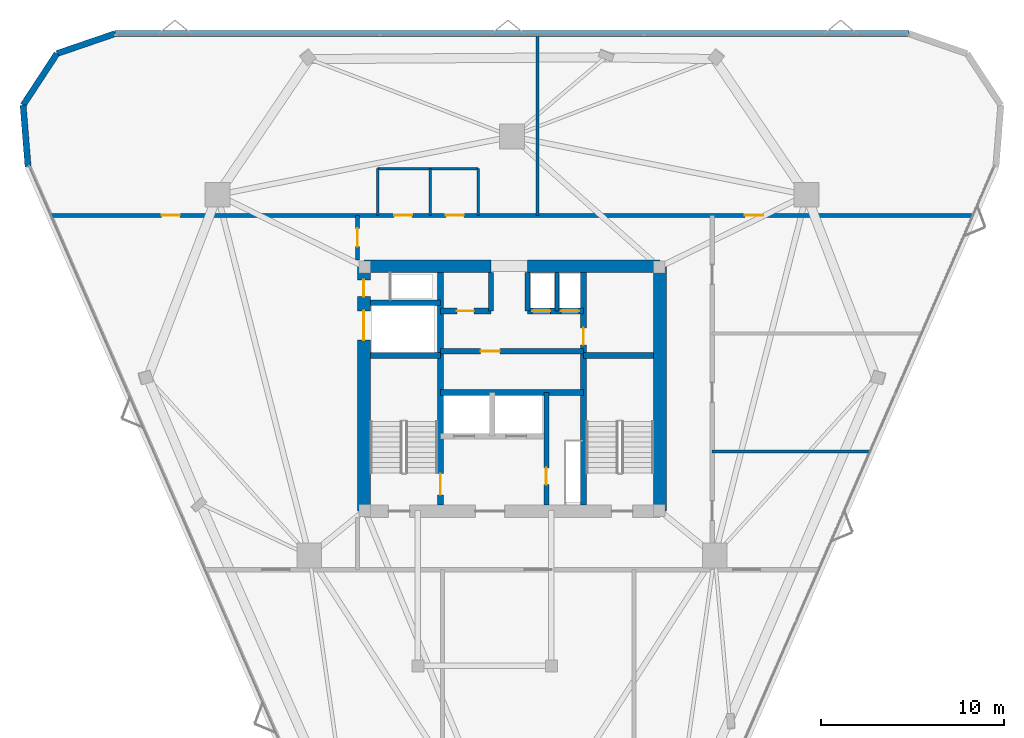
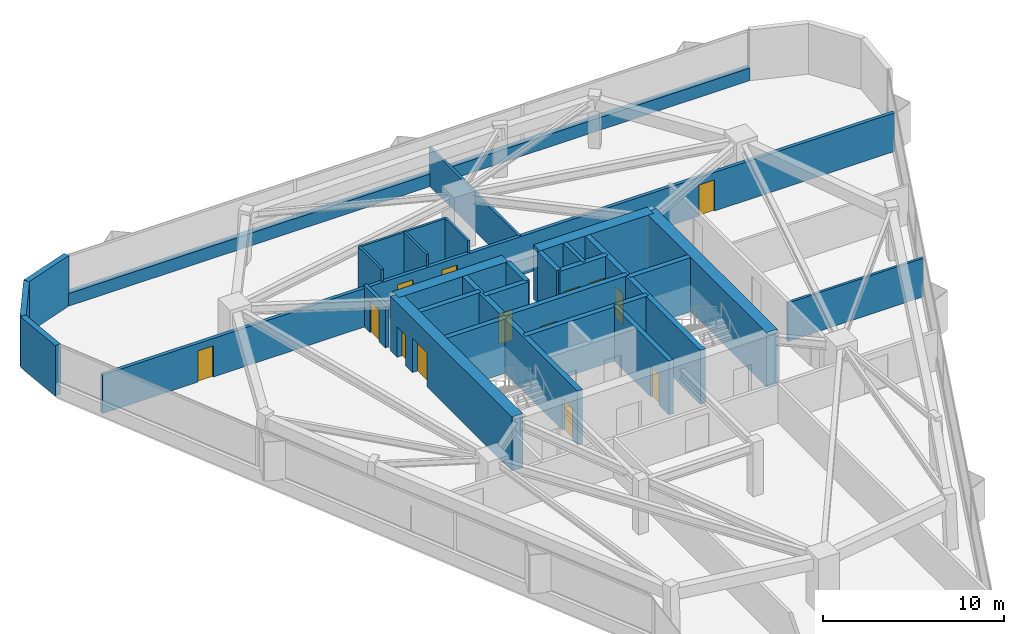
# One storey, part 10 of 12: 29 walls, 14 doors, 14 openings.
"""IFC4 building model written with IfcOpenShell, lengths in metres."""

import ifcopenshell
import ifcopenshell.guid

model = None  # the IFC model being written
_history = None  # IfcOwnerHistory: only IFC2X3 demands one
_inside = {}  # id of a spatial element -> (the spatial element, [elements in it])
_under = {}  # id of a project, library or spatial element -> (it, [spatial elements below it])
_declared = {}  # id of a project -> (the project, [libraries it declares])
_typed = {}  # id of a type object -> (the type object, [elements of that type])
_made_of = {}  # id of a material, layer set ... -> (it, [elements and type objects made of it])


def new_model(schema):
    """Start an empty IFC model of exactly this schema.

    Asked for "IFC4X3", IfcOpenShell would pick the latest addendum, in which some entities
    have other attributes; the version numbers below select the first issue.
    IFC2X3 requires an IfcOwnerHistory on every rooted entity: one is made here for all.
    """
    global model, _history
    if schema == "IFC4X3":
        model = ifcopenshell.file(schema_version=(4, 3, 0, 0))
    else:
        model = ifcopenshell.file(schema=schema)
    _inside.clear()
    _under.clear()
    _declared.clear()
    _typed.clear()
    _made_of.clear()
    _history = None
    if model.schema == "IFC2X3":
        org = make("IfcOrganization", Name="unknown")
        user = make(
            "IfcPersonAndOrganization",
            ThePerson=make("IfcPerson", FamilyName="unknown"),
            TheOrganization=org,
        )
        app = make(
            "IfcApplication",
            ApplicationDeveloper=org,
            Version="unknown",
            ApplicationFullName="unknown",
            ApplicationIdentifier="unknown",
        )
        _history = make(
            "IfcOwnerHistory",
            OwningUser=user,
            OwningApplication=app,
            ChangeAction="ADDED",
            CreationDate=0,
        )
    return model


def make(cls, **values):
    """One entity of the class cls with the attributes given. An attribute that is None is left unset."""
    return model.create_entity(
        cls, **{name: value for name, value in values.items() if value is not None}
    )


def rooted(cls, **values):
    """An entity with a GlobalId (a new one), such as an element, a storey or a relation."""
    return make(cls, GlobalId=ifcopenshell.guid.new(), OwnerHistory=_history, **values)


def si_unit(unit_type, name, prefix=None):
    """IfcSIUnit, for example si_unit("LENGTHUNIT", "METRE", prefix="MILLI")."""
    return make("IfcSIUnit", UnitType=unit_type, Prefix=prefix, Name=name)


def assignment(units):
    """IfcUnitAssignment: the units of a project."""
    return None if units is None else make("IfcUnitAssignment", Units=units)


def point(xyz):
    """IfcCartesianPoint."""
    return None if xyz is None else make("IfcCartesianPoint", Coordinates=xyz)


def direction(xyz):
    """IfcDirection."""
    return None if xyz is None else make("IfcDirection", DirectionRatios=xyz)


def frame(location, z_axis=None, x_axis=None):
    """IfcAxis2Placement3D, a coordinate frame: its origin and axes. An axis left out is left unset."""
    return make(
        "IfcAxis2Placement3D",
        Location=point(location),
        Axis=direction(z_axis),
        RefDirection=direction(x_axis),
    )


def frame_2d(location, x_axis=None):
    """IfcAxis2Placement2D, a coordinate frame in the plane: its origin and x axis."""
    return make(
        "IfcAxis2Placement2D", Location=point(location), RefDirection=direction(x_axis)
    )


def origin():
    """The frame at (0, 0, 0) with its axes left unset."""
    return frame((0.0, 0.0, 0.0))


def place(relative_to, where):
    """IfcLocalPlacement: puts the frame where relative to a parent placement (None: the world)."""
    return make(
        "IfcLocalPlacement", PlacementRelTo=relative_to, RelativePlacement=where
    )


def context(
    kind, dimensions, precision=None, world=None, true_north=None, identifier=None
):
    """IfcGeometricRepresentationContext, for example the 3D "Model" context."""
    return make(
        "IfcGeometricRepresentationContext",
        ContextIdentifier=identifier,
        ContextType=kind,
        CoordinateSpaceDimension=dimensions,
        Precision=precision,
        WorldCoordinateSystem=world,
        TrueNorth=true_north,
    )


def subcontext(parent, identifier, kind, view, scale=None):
    """IfcGeometricRepresentationSubContext, for example "Body" below "Model"."""
    return make(
        "IfcGeometricRepresentationSubContext",
        ContextIdentifier=identifier,
        ContextType=kind,
        ParentContext=parent,
        TargetScale=scale,
        TargetView=view,
    )


def project(units=None, contexts=None):
    """IfcProject with its units and contexts."""
    return rooted(
        "IfcProject",
        Name="project",
        RepresentationContexts=contexts,
        UnitsInContext=assignment(units),
    )


def spatial(cls, under=None, at=None, **own):
    """A site, building, storey or space (cls), placed at a placement, below another one or the project."""
    s = rooted(cls, ObjectPlacement=at, **own)
    if under is not None:
        _under.setdefault(under.id(), (under, []))[1].append(s)
    return s


def profile(cls, at=None, kind="AREA", **sizes):
    """A parametric profile (cls). Its sizes go by their IFC names, for example OverallWidth=200.0."""
    return make(cls, ProfileType=kind, Position=at, **sizes)


def rectangle(**sizes):
    """IfcRectangleProfileDef."""
    return profile("IfcRectangleProfileDef", **sizes)


def extrude(swept, where, along, depth):
    """IfcExtrudedAreaSolid: the profile swept, set in the frame where, extruded along a direction by depth."""
    return make(
        "IfcExtrudedAreaSolid",
        SweptArea=swept,
        Position=where,
        ExtrudedDirection=direction(along),
        Depth=depth,
    )


def shape(context_of_items, identifier, shape_type, items):
    """IfcShapeRepresentation: the items that make up one representation, for example the "Body"."""
    return make(
        "IfcShapeRepresentation",
        ContextOfItems=context_of_items,
        RepresentationIdentifier=identifier,
        RepresentationType=shape_type,
        Items=items,
    )


def material(Name=None, Category=None):
    """IfcMaterial."""
    return make("IfcMaterial", Name=Name, Category=Category)


def layer(
    of_material, thickness, ventilated=None, Name=None, Category=None, Priority=None
):
    """IfcMaterialLayer: one layer of a wall or slab, of a material (None: an air gap)."""
    return make(
        "IfcMaterialLayer",
        Material=of_material,
        LayerThickness=thickness,
        IsVentilated=ventilated,
        Name=Name,
        Category=Category,
        Priority=Priority,
    )


def layer_set(layers, Name=None):
    """IfcMaterialLayerSet."""
    return make("IfcMaterialLayerSet", MaterialLayers=layers, LayerSetName=Name)


def made_of(thing, what):
    """Note that an element or type object is made of a material, layer set ...; save() writes the relation."""
    if what is not None:
        _made_of.setdefault(what.id(), (what, []))[1].append(thing)
    return thing


def type_object(cls, material=None, **own):
    """A type object (cls), such as IfcWallType, which elements share."""
    return made_of(rooted(cls, **own), material)


def element(
    cls,
    number,
    at=None,
    inside=None,
    cuts=None,
    type_object=None,
    material=None,
    context=None,
    identifier="Body",
    shape_type=None,
    held_by="IfcProductDefinitionShape",
    body=None,
    shapes=None,
    **own,
):
    """One element of the class cls, such as IfcWall. Its Tag is "e" and its number.

    at: its placement. inside: the storey or other place that contains it. cuts: it is an
    opening in that element (IfcRelVoidsElement). A single representation is given by context,
    identifier, shape_type and body (its items); several are given by shapes. held_by: the class
    of the entity that holds the representations. save() writes the other relations.
    """
    e = rooted(cls, Tag="e%d" % number, ObjectPlacement=at, **own)
    if body is not None:
        shapes = [shape(context, identifier, shape_type, body)]
    if shapes is not None:
        e.Representation = make(held_by, Representations=shapes)
    if inside is not None:
        _inside.setdefault(inside.id(), (inside, []))[1].append(e)
    if cuts is not None:
        rooted(
            "IfcRelVoidsElement", RelatingBuildingElement=cuts, RelatedOpeningElement=e
        )
    if type_object is not None:
        _typed.setdefault(type_object.id(), (type_object, []))[1].append(e)
    return made_of(e, material)


def fill(opening, filler):
    """IfcRelFillsElement: the door or window that sits in an opening."""
    return rooted(
        "IfcRelFillsElement",
        RelatingOpeningElement=opening,
        RelatedBuildingElement=filler,
    )


def aggregate(whole, parts):
    """IfcRelAggregates: a whole, such as a stair, and the parts it consists of."""
    return rooted("IfcRelAggregates", RelatingObject=whole, RelatedObjects=parts)


def save(model, path):
    """Write the relations noted so far, then the file.

    IfcRelAggregates (storeys below a building ...), IfcRelContainedInSpatialStructure (elements
    in a storey), IfcRelDefinesByType, IfcRelAssociatesMaterial and IfcRelDeclares: one each for
    every whole, place, type object, material and project.
    """
    for whole, parts in _under.values():
        aggregate(whole, parts)
    for where, things in _inside.values():
        rooted(
            "IfcRelContainedInSpatialStructure",
            RelatedElements=things,
            RelatingStructure=where,
        )
    for kind, things in _typed.values():
        rooted("IfcRelDefinesByType", RelatedObjects=things, RelatingType=kind)
    for what, things in _made_of.values():
        rooted("IfcRelAssociatesMaterial", RelatedObjects=things, RelatingMaterial=what)
    for by, libraries in _declared.values():
        rooted("IfcRelDeclares", RelatingContext=by, RelatedDefinitions=libraries)
    model.write(path)


model = new_model("IFC4")

# Units and contexts
model_context = context("Model", 3, precision=1e-05, world=origin(), true_north=direction((0.0, 1.0)))
body_context = subcontext(model_context, "Body", "Model", "MODEL_VIEW")
ifc_project = project(units=[si_unit("LENGTHUNIT", "METRE"), si_unit("AREAUNIT", "SQUARE_METRE"), si_unit("VOLUMEUNIT", "CUBIC_METRE"), si_unit("PLANEANGLEUNIT", "RADIAN"), si_unit("MASSUNIT", "GRAM", prefix="KILO")], contexts=[model_context])

# Site, building, storey
site_placement = place(None, origin())
site = spatial("IfcSite", under=ifc_project, at=site_placement, CompositionType="ELEMENT")
building_placement = place(site_placement, origin())
building = spatial("IfcBuilding", under=site, at=building_placement, Name="Talyreon Biosciences Tower", CompositionType="ELEMENT")
storey_placement = place(building_placement, frame((0.0, 0.0, 186.699951171875)))
storey = spatial("IfcBuildingStorey", under=building, at=storey_placement, Name="L49", CompositionType="ELEMENT", Elevation=186.699951171875)

# Walls
ifc_material_1 = material(Name="Concrete C50/60", Category="concrete")
ifc_layer_1 = layer(ifc_material_1, 0.219970703125)
ifc_layer_set_1 = layer_set([ifc_layer_1], Name="Concrete C50/60")
wall_type_1 = type_object("IfcWallType", Name="CoreShearWall_220", PredefinedType="SHEAR", material=ifc_layer_set_1)
wall_1_placement = place(storey_placement, frame((68.4599609375, 72.25, 0.0), z_axis=(0.0, 0.0, 1.0), x_axis=(0.0, 1.0, 0.0)))
element("IfcWall", 1, at=wall_1_placement, inside=storey, type_object=wall_type_1, Name="L49 Core Shaft Wall SWPHD", PredefinedType="SHEAR", context=body_context, shape_type="SweptSolid", body=[
    extrude(rectangle(XDim=2.10009765625, YDim=0.219970703125, at=frame_2d((1.050048828125, 0.0))), origin(), (0.0, 0.0, 1.0), 3.650146484375),
])
ifc_layer_2 = layer(ifc_material_1, 0.280029296875)
ifc_layer_set_2 = layer_set([ifc_layer_2], Name="Concrete C50/60")
wall_type_2 = type_object("IfcWallType", Name="CoreShearWall_280", PredefinedType="SHEAR", material=ifc_layer_set_2)
for number, where, z_axis, x_axis, name in (
    (2, (64.85009765625, 72.25, 0.0), (0.0, 0.0, 1.0), (0.0, 1.0, 0.0), "L49 Core Shaft Wall SWTHW"),
    (3, (66.85009765625, 72.25, 0.0), (0.0, 0.0, 1.0), (0.0, 1.0, 0.0), "L49 Core Shaft Wall SWTHE"),
):
    element("IfcWall", number, at=place(storey_placement, frame(where, z_axis=z_axis, x_axis=x_axis)), inside=storey, type_object=wall_type_2, Name=name, PredefinedType="SHEAR", context=body_context, shape_type="SweptSolid", body=[
        extrude(rectangle(XDim=2.10009765625, YDim=0.280029296875, at=frame_2d((1.050048828125, 0.0))), origin(), (0.0, 0.0, 1.0), 3.650146484375),
    ])

# Wall, opening, door
wall_2_placement = place(storey_placement, frame((67.8798828125, 61.64990234375, 0.0), z_axis=(0.0, 0.0, 1.0), x_axis=(0.0, 1.0, 0.0)))
wall_2 = element("IfcWall", 4, at=wall_2_placement, inside=storey, type_object=wall_type_2, Name="L49 Core Shaft Wall SWFFE", PredefinedType="SHEAR", context=body_context, shape_type="SweptSolid", body=[
    extrude(rectangle(XDim=6.150146484375, YDim=0.280029296875, at=frame_2d((3.0751953125, 0.0))), origin(), (0.0, 0.0, 1.0), 3.650146484375),
])
opening_1_placement = place(wall_2_placement, frame((1.10009765625, 0.0, 0.0)))
opening_1 = element("IfcOpeningElement", 5, at=opening_1_placement, cuts=wall_2, Name="Opening DR-L49-RSE", PredefinedType="OPENING", context=body_context, shape_type="SweptSolid", body=[
    extrude(rectangle(XDim=0.919921875, YDim=2.050048828125, at=frame_2d((0.4599609375, 1.02490234375))), frame((0.0, 0.14990234375, 0.0), z_axis=(0.0, -1.0, 0.0), x_axis=(1.0, 0.0, 0.0)), (0.0, 0.0, 1.0), 0.300048828125),
])
ifc_material_2 = material(Name="Painted steel fire-rated riser door", Category="steel")
door_type_1 = type_object("IfcDoorType", Name="RiserPlantAccessDoor_920x2050", OperationType="NOTDEFINED", PredefinedType="DOOR", material=ifc_material_2)
door_1_placement = place(opening_1_placement, origin())
door_1 = element("IfcDoor", 6, at=door_1_placement, inside=storey, type_object=door_type_1, Name="L49 Core Door DR-L49-RSE", OperationType="SINGLE_SWING_RIGHT", OverallHeight=2.050048828125, OverallWidth=0.919921875, PredefinedType="DOOR", context=body_context, shape_type="SweptSolid", body=[
    extrude(rectangle(XDim=0.919921875, YDim=2.050048828125, at=frame_2d((0.4599609375, 1.02490234375))), frame((0.0, 0.02490234375, 0.0), z_axis=(0.0, -1.0, 0.0), x_axis=(1.0, 0.0, 0.0)), (0.0, 0.0, 1.0), 0.050048828125),
])
fill(opening_1, door_1)

ifc_layer_3 = layer(ifc_material_1, 0.320068359375)
ifc_layer_set_3 = layer_set([ifc_layer_3], Name="Concrete C50/60")
wall_type_3 = type_object("IfcWallType", Name="CoreShearWall_320", PredefinedType="SHEAR", material=ifc_layer_set_3)
wall_3_placement = place(storey_placement, frame((62.090087890625, 61.64990234375, 0.0), z_axis=(0.0, 0.0, 1.0), x_axis=(0.0, 1.0, 0.0)))
wall_3 = element("IfcWall", 7, at=wall_3_placement, inside=storey, type_object=wall_type_3, Name="L49 Core Shaft Wall SW1E", PredefinedType="SHEAR", context=body_context, shape_type="SweptSolid", body=[
    extrude(rectangle(XDim=12.7001953125, YDim=0.320068359375, at=frame_2d((6.35009765625, 0.0))), origin(), (0.0, 0.0, 1.0), 3.650146484375),
])
opening_2_placement = place(wall_3_placement, frame((0.550048828125, 0.0, 0.0)))
opening_2 = element("IfcOpeningElement", 8, at=opening_2_placement, cuts=wall_3, Name="Opening DR-L49-FF-ST1", PredefinedType="OPENING", context=body_context, shape_type="SweptSolid", body=[
    extrude(rectangle(XDim=1.14990234375, YDim=2.14990234375, at=frame_2d((0.574951171875, 1.074951171875))), frame((0.0, 0.169921875, 0.0), z_axis=(0.0, -1.0, 0.0), x_axis=(1.0, 0.0, 0.0)), (0.0, 0.0, 1.0), 0.340087890625),
])
ifc_material_3 = material(Name="Painted steel fire door", Category="steel")
door_type_2 = type_object("IfcDoorType", Name="StairShaftFireDoor_1150x2150", OperationType="NOTDEFINED", PredefinedType="DOOR", material=ifc_material_3)
door_2_placement = place(opening_2_placement, origin())
door_2 = element("IfcDoor", 9, at=door_2_placement, inside=storey, type_object=door_type_2, Name="L49 Core Door DR-L49-FF-ST1", OperationType="SINGLE_SWING_LEFT", OverallHeight=2.14990234375, OverallWidth=1.14990234375, PredefinedType="DOOR", context=body_context, shape_type="SweptSolid", body=[
    extrude(rectangle(XDim=1.14990234375, YDim=2.14990234375, at=frame_2d((0.574951171875, 1.074951171875))), frame((0.0, 0.02490234375, 0.0), z_axis=(0.0, -1.0, 0.0), x_axis=(1.0, 0.0, 0.0)), (0.0, 0.0, 1.0), 0.050048828125),
])
fill(opening_2, door_2)

wall_4_placement = place(storey_placement, frame((69.909912109375, 61.64990234375, 0.0), z_axis=(0.0, 0.0, 1.0), x_axis=(0.0, 1.0, 0.0)))
wall_4 = element("IfcWall", 10, at=wall_4_placement, inside=storey, type_object=wall_type_3, Name="L49 Core Shaft Wall SW2W", PredefinedType="SHEAR", context=body_context, shape_type="SweptSolid", body=[
    extrude(rectangle(XDim=12.7001953125, YDim=0.320068359375, at=frame_2d((6.35009765625, 0.0))), origin(), (0.0, 0.0, 1.0), 3.650146484375),
])
opening_3_placement = place(wall_4_placement, frame((8.75, 0.0, 0.0)))
opening_3 = element("IfcOpeningElement", 11, at=opening_3_placement, cuts=wall_4, Name="Opening DR-L49-CSRV", PredefinedType="OPENING", context=body_context, shape_type="SweptSolid", body=[
    extrude(rectangle(XDim=0.919921875, YDim=2.050048828125, at=frame_2d((0.4599609375, 1.02490234375))), frame((0.0, 0.169921875, 0.0), z_axis=(0.0, -1.0, 0.0), x_axis=(1.0, 0.0, 0.0)), (0.0, 0.0, 1.0), 0.340087890625),
])
door_3_placement = place(opening_3_placement, origin())
door_3 = element("IfcDoor", 12, at=door_3_placement, inside=storey, type_object=door_type_1, Name="L49 Core Door DR-L49-CSRV", OperationType="SINGLE_SWING_RIGHT", OverallHeight=2.050048828125, OverallWidth=0.919921875, PredefinedType="DOOR", context=body_context, shape_type="SweptSolid", body=[
    extrude(rectangle(XDim=0.919921875, YDim=2.050048828125, at=frame_2d((0.4599609375, 1.02490234375))), frame((0.0, 0.02490234375, 0.0), z_axis=(0.0, -1.0, 0.0), x_axis=(1.0, 0.0, 0.0)), (0.0, 0.0, 1.0), 0.050048828125),
])
fill(opening_3, door_3)

# Walls
for number, where, z_axis, x_axis, name in (
    (13, (58.25, 69.81005859375, 0.0), (0.0, 0.0, 1.0), (1.0, 0.0, 0.0), "L49 Core Shaft Wall SW1N"),
    (14, (69.909912109375, 69.81005859375, 0.0), (0.0, 0.0, 1.0), (1.0, 0.0, 0.0), "L49 Core Shaft Wall SW2N"),
    (15, (58.25, 72.699951171875, 0.0), (0.0, 0.0, 1.0), (1.0, 0.0, 0.0), "L49 Core Shaft Wall SWGLN"),
):
    element("IfcWall", number, at=place(storey_placement, frame(where, z_axis=z_axis, x_axis=x_axis)), inside=storey, type_object=wall_type_3, Name=name, PredefinedType="SHEAR", context=body_context, shape_type="SweptSolid", body=[
        extrude(rectangle(XDim=3.840087890625, YDim=0.320068359375, at=frame_2d((1.919921875, 0.0))), origin(), (0.0, 0.0, 1.0), 3.650146484375),
    ])
wall_5_placement = place(storey_placement, frame((62.090087890625, 67.800048828125, 0.0), z_axis=(0.0, 0.0, 1.0), x_axis=(1.0, 0.0, 0.0)))
element("IfcWall", 16, at=wall_5_placement, inside=storey, type_object=wall_type_3, Name="L49 Core Shaft Wall SWSHM", PredefinedType="SHEAR", context=body_context, shape_type="SweptSolid", body=[
    extrude(rectangle(XDim=7.81982421875, YDim=0.320068359375, at=frame_2d((3.909912109375, 0.0))), origin(), (0.0, 0.0, 1.0), 3.650146484375),
])

# Wall, opening, door
wall_6_placement = place(storey_placement, frame((62.090087890625, 70.050048828125, 0.0), z_axis=(0.0, 0.0, 1.0), x_axis=(1.0, 0.0, 0.0)))
wall_6 = element("IfcWall", 17, at=wall_6_placement, inside=storey, type_object=wall_type_3, Name="L49 Core Shaft Wall SWSPN", PredefinedType="SHEAR", context=body_context, shape_type="SweptSolid", body=[
    extrude(rectangle(XDim=7.81982421875, YDim=0.320068359375, at=frame_2d((3.909912109375, 0.0))), origin(), (0.0, 0.0, 1.0), 3.650146484375),
])
opening_4_placement = place(wall_6_placement, frame((2.199951171875, 0.0, 0.0)))
opening_4 = element("IfcOpeningElement", 18, at=opening_4_placement, cuts=wall_6, Name="Opening DR-L49-PLPMFREE", PredefinedType="OPENING", context=body_context, shape_type="SweptSolid", body=[
    extrude(rectangle(XDim=1.050048828125, YDim=2.14990234375, at=frame_2d((0.52490234375, 1.074951171875))), frame((0.0, 0.169921875, 0.0), z_axis=(0.0, -1.0, 0.0), x_axis=(1.0, 0.0, 0.0)), (0.0, 0.0, 1.0), 0.340087890625),
])
ifc_material_4 = material(Name="Acoustic timber-core laboratory door", Category="wood")
door_type_3 = type_object("IfcDoorType", Name="DryLabSingleDoor_1050x2150", OperationType="NOTDEFINED", PredefinedType="DOOR", material=ifc_material_4)
door_4_placement = place(opening_4_placement, origin())
door_4 = element("IfcDoor", 19, at=door_4_placement, inside=storey, type_object=door_type_3, Name="L49 Core Door DR-L49-PLPMFREE", OperationType="SINGLE_SWING_LEFT", OverallHeight=2.14990234375, OverallWidth=1.050048828125, PredefinedType="DOOR", context=body_context, shape_type="SweptSolid", body=[
    extrude(rectangle(XDim=1.050048828125, YDim=2.14990234375, at=frame_2d((0.52490234375, 1.074951171875))), frame((0.0, 0.02490234375, 0.0), z_axis=(0.0, -1.0, 0.0), x_axis=(1.0, 0.0, 0.0)), (0.0, 0.0, 1.0), 0.050048828125),
])
fill(opening_4, door_4)

wall_7_placement = place(storey_placement, frame((62.090087890625, 72.25, 0.0), z_axis=(0.0, 0.0, 1.0), x_axis=(1.0, 0.0, 0.0)))
wall_7 = element("IfcWall", 20, at=wall_7_placement, inside=storey, type_object=wall_type_3, Name="L49 Core Shaft Wall SWNPW", PredefinedType="SHEAR", context=body_context, shape_type="SweptSolid", body=[
    extrude(rectangle(XDim=2.760009765625, YDim=0.320068359375, at=frame_2d((1.3798828125, 0.0))), origin(), (0.0, 0.0, 1.0), 3.650146484375),
])
opening_5_placement = place(wall_7_placement, frame((0.89990234375, 0.0, 0.0)))
opening_5 = element("IfcOpeningElement", 21, at=opening_5_placement, cuts=wall_7, Name="Opening DR-L49-PM2FREE", PredefinedType="OPENING", context=body_context, shape_type="SweptSolid", body=[
    extrude(rectangle(XDim=0.919921875, YDim=2.050048828125, at=frame_2d((0.4599609375, 1.02490234375))), frame((0.0, 0.169921875, 0.0), z_axis=(0.0, -1.0, 0.0), x_axis=(1.0, 0.0, 0.0)), (0.0, 0.0, 1.0), 0.340087890625),
])
door_5_placement = place(opening_5_placement, origin())
door_5 = element("IfcDoor", 22, at=door_5_placement, inside=storey, type_object=door_type_1, Name="L49 Core Door DR-L49-PM2FREE", OperationType="SINGLE_SWING_RIGHT", OverallHeight=2.050048828125, OverallWidth=0.919921875, PredefinedType="DOOR", context=body_context, shape_type="SweptSolid", body=[
    extrude(rectangle(XDim=0.919921875, YDim=2.050048828125, at=frame_2d((0.4599609375, 1.02490234375))), frame((0.0, 0.02490234375, 0.0), z_axis=(0.0, -1.0, 0.0), x_axis=(1.0, 0.0, 0.0)), (0.0, 0.0, 1.0), 0.050048828125),
])
fill(opening_5, door_5)

# Wall, openings, doors
wall_8_placement = place(storey_placement, frame((66.85009765625, 72.25, 0.0), z_axis=(0.0, 0.0, 1.0), x_axis=(1.0, 0.0, 0.0)))
wall_8 = element("IfcWall", 23, at=wall_8_placement, inside=storey, type_object=wall_type_3, Name="L49 Core Shaft Wall SWNPE", PredefinedType="SHEAR", context=body_context, shape_type="SweptSolid", body=[
    extrude(rectangle(XDim=3.059814453125, YDim=0.320068359375, at=frame_2d((1.52978515625, 0.0))), origin(), (0.0, 0.0, 1.0), 3.650146484375),
])
opening_6_placement = place(wall_8_placement, frame((0.25, 0.0, 0.0)))
opening_6 = element("IfcOpeningElement", 24, at=opening_6_placement, cuts=wall_8, Name="Opening LD-L49-PH1", PredefinedType="OPENING", context=body_context, shape_type="SweptSolid", body=[
    extrude(rectangle(XDim=1.0, YDim=2.199951171875, at=frame_2d((0.5, 1.10009765625))), frame((0.0, 0.169921875, 0.0), z_axis=(0.0, -1.0, 0.0), x_axis=(1.0, 0.0, 0.0)), (0.0, 0.0, 1.0), 0.340087890625),
])
opening_7_placement = place(wall_8_placement, frame((1.820068359375, 0.0, 0.0)))
opening_7 = element("IfcOpeningElement", 25, at=opening_7_placement, cuts=wall_8, Name="Opening LD-L49-PH2", PredefinedType="OPENING", context=body_context, shape_type="SweptSolid", body=[
    extrude(rectangle(XDim=1.0, YDim=2.199951171875, at=frame_2d((0.5, 1.10009765625))), frame((0.0, 0.169921875, 0.0), z_axis=(0.0, -1.0, 0.0), x_axis=(1.0, 0.0, 0.0)), (0.0, 0.0, 1.0), 0.340087890625),
])
ifc_material_5 = material(Name="Brushed stainless-steel lift landing door", Category="steel")
door_type_4 = type_object("IfcDoorType", Name="LiftSlidingLandingDoor_1100x2200", OperationType="SLIDING_TO_LEFT", PredefinedType="DOOR", material=ifc_material_5)
door_6_placement = place(opening_6_placement, origin())
door_6 = element("IfcDoor", 26, at=door_6_placement, inside=storey, type_object=door_type_4, Name="L49 Core Door LD-L49-PH1", OperationType="SLIDING_TO_LEFT", OverallHeight=2.199951171875, OverallWidth=1.0, PredefinedType="DOOR", context=body_context, shape_type="SweptSolid", body=[
    extrude(rectangle(XDim=1.0, YDim=2.199951171875, at=frame_2d((0.5, 1.10009765625))), frame((0.0, 0.02490234375, 0.0), z_axis=(0.0, -1.0, 0.0), x_axis=(1.0, 0.0, 0.0)), (0.0, 0.0, 1.0), 0.050048828125),
])
fill(opening_6, door_6)
door_7_placement = place(opening_7_placement, origin())
door_7 = element("IfcDoor", 27, at=door_7_placement, inside=storey, type_object=door_type_4, Name="L49 Core Door LD-L49-PH2", OperationType="SLIDING_TO_LEFT", OverallHeight=2.199951171875, OverallWidth=1.0, PredefinedType="DOOR", context=body_context, shape_type="SweptSolid", body=[
    extrude(rectangle(XDim=1.0, YDim=2.199951171875, at=frame_2d((0.5, 1.10009765625))), frame((0.0, 0.02490234375, 0.0), z_axis=(0.0, -1.0, 0.0), x_axis=(1.0, 0.0, 0.0)), (0.0, 0.0, 1.0), 0.050048828125),
])
fill(opening_7, door_7)

# Walls
ifc_layer_4 = layer(ifc_material_1, 0.699951171875)
ifc_layer_set_4 = layer_set([ifc_layer_4], Name="Concrete C50/60")
wall_type_4 = type_object("IfcWallType", Name="CoreShearWall_700", PredefinedType="SHEAR", material=ifc_layer_set_4)
wall_9_placement = place(storey_placement, frame((74.10009765625, 61.300048828125, 0.0), z_axis=(0.0, 0.0, 1.0), x_axis=(0.0, 1.0, 0.0)))
element("IfcWall", 28, at=wall_9_placement, inside=storey, type_object=wall_type_4, Name="L49 Core Shear Wall E", PredefinedType="SHEAR", context=body_context, shape_type="SweptSolid", body=[
    extrude(rectangle(XDim=13.39990234375, YDim=0.699951171875, at=frame_2d((6.699951171875, 0.0))), origin(), (0.0, 0.0, 1.0), 3.650146484375),
])
wall_10_placement = place(storey_placement, frame((74.10009765625, 74.699951171875, 0.0), z_axis=(0.0, 0.0, 1.0), x_axis=(-1.0, 0.0, 0.0)))
element("IfcWall", 29, at=wall_10_placement, inside=storey, type_object=wall_type_4, Name="L49 Core Shear Wall NE", PredefinedType="SHEAR", context=body_context, shape_type="SweptSolid", body=[
    extrude(rectangle(XDim=7.25, YDim=0.699951171875, at=frame_2d((3.625, 0.0))), origin(), (0.0, 0.0, 1.0), 3.650146484375),
])
wall_11_placement = place(storey_placement, frame((64.85009765625, 74.699951171875, 0.0), z_axis=(0.0, 0.0, 1.0), x_axis=(-1.0, 0.0, 0.0)))
element("IfcWall", 30, at=wall_11_placement, inside=storey, type_object=wall_type_4, Name="L49 Core Shear Wall NW", PredefinedType="SHEAR", context=body_context, shape_type="SweptSolid", body=[
    extrude(rectangle(XDim=6.9501953125, YDim=0.699951171875, at=frame_2d((3.47509765625, 0.0))), origin(), (0.0, 0.0, 1.0), 3.650146484375),
])

# Wall, openings, doors
wall_12_placement = place(storey_placement, frame((57.89990234375, 74.699951171875, 0.0), z_axis=(0.0, 0.0, 1.0), x_axis=(0.0, -1.0, 0.0)))
wall_12 = element("IfcWall", 31, at=wall_12_placement, inside=storey, type_object=wall_type_4, Name="L49 Core Shear Wall W", PredefinedType="SHEAR", context=body_context, shape_type="SweptSolid", body=[
    extrude(rectangle(XDim=13.39990234375, YDim=0.699951171875, at=frame_2d((6.699951171875, 0.0))), origin(), (0.0, 0.0, 1.0), 3.650146484375),
])
opening_8_placement = place(wall_12_placement, frame((0.75, 0.0, 0.0)))
opening_8 = element("IfcOpeningElement", 32, at=opening_8_placement, cuts=wall_12, Name="Opening DR-L49-RSW", PredefinedType="OPENING", context=body_context, shape_type="SweptSolid", body=[
    extrude(rectangle(XDim=0.919921875, YDim=2.050048828125, at=frame_2d((0.4599609375, 1.02490234375))), frame((0.0, 0.35986328125, 0.0), z_axis=(0.0, -1.0, 0.0), x_axis=(1.0, 0.0, 0.0)), (0.0, 0.0, 1.0), 0.719970703125),
])
opening_9_placement = place(wall_12_placement, frame((2.449951171875, 0.0, 0.0)))
opening_9 = element("IfcOpeningElement", 33, at=opening_9_placement, cuts=wall_12, Name="Opening LD-L49-GL1", PredefinedType="OPENING", context=body_context, shape_type="SweptSolid", body=[
    extrude(rectangle(XDim=1.60009765625, YDim=2.300048828125, at=frame_2d((0.800048828125, 1.14990234375))), frame((0.0, 0.35986328125, 0.0), z_axis=(0.0, -1.0, 0.0), x_axis=(1.0, 0.0, 0.0)), (0.0, 0.0, 1.0), 0.719970703125),
])
ifc_material_6 = material(Name="Heavy-duty stainless-steel goods lift door", Category="steel")
door_type_5 = type_object("IfcDoorType", Name="GoodsLiftSlidingDoor_1600x2300", OperationType="DOUBLE_DOOR_SLIDING", PredefinedType="DOOR", material=ifc_material_6)
door_8_placement = place(opening_9_placement, origin())
door_8 = element("IfcDoor", 34, at=door_8_placement, inside=storey, type_object=door_type_5, Name="L49 Core Door LD-L49-GL1", OperationType="DOUBLE_DOOR_SLIDING", OverallHeight=2.300048828125, OverallWidth=1.60009765625, PredefinedType="DOOR", context=body_context, shape_type="SweptSolid", body=[
    extrude(rectangle(XDim=1.60009765625, YDim=2.300048828125, at=frame_2d((0.800048828125, 1.14990234375))), frame((0.0, 0.02490234375, 0.0), z_axis=(0.0, -1.0, 0.0), x_axis=(1.0, 0.0, 0.0)), (0.0, 0.0, 1.0), 0.050048828125),
])
fill(opening_9, door_8)
door_9_placement = place(opening_8_placement, origin())
door_9 = element("IfcDoor", 35, at=door_9_placement, inside=storey, type_object=door_type_1, Name="L49 Core Door DR-L49-RSW", OperationType="SINGLE_SWING_LEFT", OverallHeight=2.050048828125, OverallWidth=0.919921875, PredefinedType="DOOR", context=body_context, shape_type="SweptSolid", body=[
    extrude(rectangle(XDim=0.919921875, YDim=2.050048828125, at=frame_2d((0.4599609375, 1.02490234375))), frame((0.0, 0.02490234375, 0.0), z_axis=(0.0, -1.0, 0.0), x_axis=(1.0, 0.0, 0.0)), (0.0, 0.0, 1.0), 0.050048828125),
])
fill(opening_8, door_9)

ifc_material_7 = material(Name="Gypsum fireboard acoustic stud", Category="gypsum")
ifc_layer_5 = layer(ifc_material_7, 0.219970703125)
ifc_layer_set_5 = layer_set([ifc_layer_5], Name="Gypsum fireboard acoustic stud")
wall_type_5 = type_object("IfcWallType", Name="CorridorRatedPartition_220", PredefinedType="PARTITIONING", material=ifc_layer_set_5)
wall_13_placement = place(storey_placement, frame((40.787841796875, 77.47998046875, 0.0), z_axis=(0.0, 0.0, 1.0), x_axis=(1.0, 0.0, 0.0)))
wall_13 = element("IfcWall", 36, at=wall_13_placement, inside=storey, type_object=wall_type_5, Name="L49 Interior Wall IW-L49-COR-N", PredefinedType="PARTITIONING", context=body_context, shape_type="SweptSolid", body=[
    extrude(rectangle(XDim=50.42431640625, YDim=0.219970703125, at=frame_2d((25.212158203125, 0.0))), origin(), (0.0, 0.0, 1.0), 2.60009765625),
])
opening_10_placement = place(wall_13_placement, frame((18.77197265625, 0.0, 0.0)))
opening_10 = element("IfcOpeningElement", 37, at=opening_10_placement, cuts=wall_13, Name="Opening DR-L49-WC", PredefinedType="OPENING", context=body_context, shape_type="SweptSolid", body=[
    extrude(rectangle(XDim=0.97998046875, YDim=2.10009765625, at=frame_2d((0.489990234375, 1.050048828125))), frame((0.0, 0.119873046875, 0.0), z_axis=(0.0, -1.0, 0.0), x_axis=(1.0, 0.0, 0.0)), (0.0, 0.0, 1.0), 0.239990234375),
])
opening_11_placement = place(wall_13_placement, frame((21.596923828125, 0.0, 0.0)))
opening_11 = element("IfcOpeningElement", 38, at=opening_11_placement, cuts=wall_13, Name="Opening DR-L49-AWC", PredefinedType="OPENING", context=body_context, shape_type="SweptSolid", body=[
    extrude(rectangle(XDim=0.97998046875, YDim=2.10009765625, at=frame_2d((0.489990234375, 1.050048828125))), frame((0.0, 0.119873046875, 0.0), z_axis=(0.0, -1.0, 0.0), x_axis=(1.0, 0.0, 0.0)), (0.0, 0.0, 1.0), 0.239990234375),
])
opening_12_placement = place(wall_13_placement, frame((6.052001953125, 0.0, 0.0)))
opening_12 = element("IfcOpeningElement", 39, at=opening_12_placement, cuts=wall_13, Name="Opening DR-L49-N1A", PredefinedType="OPENING", context=body_context, shape_type="SweptSolid", body=[
    extrude(rectangle(XDim=1.0, YDim=2.10009765625, at=frame_2d((0.5, 1.050048828125))), frame((0.0, 0.119873046875, 0.0), z_axis=(0.0, -1.0, 0.0), x_axis=(1.0, 0.0, 0.0)), (0.0, 0.0, 1.0), 0.239990234375),
])
opening_13_placement = place(wall_13_placement, frame((37.943115234375, 0.0, 0.0)))
opening_13 = element("IfcOpeningElement", 40, at=opening_13_placement, cuts=wall_13, Name="Opening DR-L49-N2A", PredefinedType="OPENING", context=body_context, shape_type="SweptSolid", body=[
    extrude(rectangle(XDim=1.0, YDim=2.10009765625, at=frame_2d((0.5, 1.050048828125))), frame((0.0, 0.119873046875, 0.0), z_axis=(0.0, -1.0, 0.0), x_axis=(1.0, 0.0, 0.0)), (0.0, 0.0, 1.0), 0.239990234375),
])
ifc_material_8 = material(Name="Laminate moisture-resistant door", Category="wood")
door_type_6 = type_object("IfcDoorType", Name="AccessibleToiletDoor_980x2100", OperationType="NOTDEFINED", PredefinedType="DOOR", material=ifc_material_8)
door_10_placement = place(opening_10_placement, origin())
door_10 = element("IfcDoor", 41, at=door_10_placement, inside=storey, type_object=door_type_6, Name="L49 Interior Door DR-L49-WC", OperationType="SINGLE_SWING_RIGHT", OverallHeight=2.10009765625, OverallWidth=0.97998046875, PredefinedType="DOOR", context=body_context, shape_type="SweptSolid", body=[
    extrude(rectangle(XDim=0.97998046875, YDim=2.10009765625, at=frame_2d((0.489990234375, 1.050048828125))), frame((0.0, 0.02490234375, 0.0), z_axis=(0.0, -1.0, 0.0), x_axis=(1.0, 0.0, 0.0)), (0.0, 0.0, 1.0), 0.050048828125),
])
fill(opening_10, door_10)
door_11_placement = place(opening_11_placement, origin())
door_11 = element("IfcDoor", 42, at=door_11_placement, inside=storey, type_object=door_type_6, Name="L49 Interior Door DR-L49-AWC", OperationType="SINGLE_SWING_RIGHT", OverallHeight=2.10009765625, OverallWidth=0.97998046875, PredefinedType="DOOR", context=body_context, shape_type="SweptSolid", body=[
    extrude(rectangle(XDim=0.97998046875, YDim=2.10009765625, at=frame_2d((0.489990234375, 1.050048828125))), frame((0.0, 0.02490234375, 0.0), z_axis=(0.0, -1.0, 0.0), x_axis=(1.0, 0.0, 0.0)), (0.0, 0.0, 1.0), 0.050048828125),
])
fill(opening_11, door_11)
ifc_material_9 = material(Name="Acoustic oak veneer office door", Category="wood")
door_type_7 = type_object("IfcDoorType", Name="WriteupOfficeDoor_1000x2100", OperationType="NOTDEFINED", PredefinedType="DOOR", material=ifc_material_9)
door_12_placement = place(opening_12_placement, origin())
door_12 = element("IfcDoor", 43, at=door_12_placement, inside=storey, type_object=door_type_7, Name="L49 Interior Door DR-L49-N1A", OperationType="SINGLE_SWING_LEFT", OverallHeight=2.10009765625, OverallWidth=1.0, PredefinedType="DOOR", context=body_context, shape_type="SweptSolid", body=[
    extrude(rectangle(XDim=1.0, YDim=2.10009765625, at=frame_2d((0.5, 1.050048828125))), frame((0.0, 0.02490234375, 0.0), z_axis=(0.0, -1.0, 0.0), x_axis=(1.0, 0.0, 0.0)), (0.0, 0.0, 1.0), 0.050048828125),
])
fill(opening_12, door_12)
door_13_placement = place(opening_13_placement, origin())
door_13 = element("IfcDoor", 44, at=door_13_placement, inside=storey, type_object=door_type_7, Name="L49 Interior Door DR-L49-N2A", OperationType="SINGLE_SWING_RIGHT", OverallHeight=2.10009765625, OverallWidth=1.0, PredefinedType="DOOR", context=body_context, shape_type="SweptSolid", body=[
    extrude(rectangle(XDim=1.0, YDim=2.10009765625, at=frame_2d((0.5, 1.050048828125))), frame((0.0, 0.02490234375, 0.0), z_axis=(0.0, -1.0, 0.0), x_axis=(1.0, 0.0, 0.0)), (0.0, 0.0, 1.0), 0.050048828125),
])
fill(opening_13, door_13)

# Wall, opening, door
wall_14_placement = place(storey_placement, frame((57.550048828125, 75.050048828125, 0.0), z_axis=(0.0, 0.0, 1.0), x_axis=(0.0, 1.0, 0.0)))
wall_14 = element("IfcWall", 45, at=wall_14_placement, inside=storey, type_object=wall_type_5, Name="L49 Interior Wall IW-L49-WCAP-N", PredefinedType="PARTITIONING", context=body_context, shape_type="SweptSolid", body=[
    extrude(rectangle(XDim=2.429931640625, YDim=0.219970703125, at=frame_2d((1.21484375, 0.0))), origin(), (0.0, 0.0, 1.0), 2.780029296875),
])
opening_14_placement = place(wall_14_placement, frame((0.715087890625, 0.0, 0.0)))
opening_14 = element("IfcOpeningElement", 46, at=opening_14_placement, cuts=wall_14, Name="Opening DR-L49-W1A", PredefinedType="OPENING", context=body_context, shape_type="SweptSolid", body=[
    extrude(rectangle(XDim=1.0, YDim=2.10009765625, at=frame_2d((0.5, 1.050048828125))), frame((0.0, 0.119873046875, 0.0), z_axis=(0.0, -1.0, 0.0), x_axis=(1.0, 0.0, 0.0)), (0.0, 0.0, 1.0), 0.239990234375),
])
door_14_placement = place(opening_14_placement, origin())
door_14 = element("IfcDoor", 47, at=door_14_placement, inside=storey, type_object=door_type_7, Name="L49 Interior Door DR-L49-W1A", OperationType="SINGLE_SWING_RIGHT", OverallHeight=2.10009765625, OverallWidth=1.0, PredefinedType="DOOR", context=body_context, shape_type="SweptSolid", body=[
    extrude(rectangle(XDim=1.0, YDim=2.10009765625, at=frame_2d((0.5, 1.050048828125))), frame((0.0, 0.02490234375, 0.0), z_axis=(0.0, -1.0, 0.0), x_axis=(1.0, 0.0, 0.0)), (0.0, 0.0, 1.0), 0.050048828125),
])
fill(opening_14, door_14)

# Walls
ifc_material_10 = material(Name="Gypsum acoustic stud partition", Category="gypsum")
ifc_layer_6 = layer(ifc_material_10, 0.159912109375)
ifc_layer_set_6 = layer_set([ifc_layer_6], Name="Gypsum acoustic stud partition")
wall_type_6 = type_object("IfcWallType", Name="LabSeparationPartition_160", PredefinedType="PARTITIONING", material=ifc_layer_set_6)
wall_15_placement = place(storey_placement, frame((67.39990234375, 77.47998046875, 0.0), z_axis=(0.0, 0.0, 1.0), x_axis=(0.0, 1.0, 0.0)))
element("IfcWall", 48, at=wall_15_placement, inside=storey, type_object=wall_type_6, Name="L49 Interior Wall IW-L49-NDIV1", PredefinedType="PARTITIONING", context=body_context, shape_type="SweptSolid", body=[
    extrude(rectangle(XDim=9.85400390625, YDim=0.159912109375, at=frame_2d((4.927001953125, 0.0))), origin(), (0.0, 0.0, 1.0), 2.60009765625),
])
wall_16_placement = place(storey_placement, frame((76.949951171875, 64.56005859375, 0.0), z_axis=(0.0, 0.0, 1.0), x_axis=(1.0, 0.0, 0.0)))
element("IfcWall", 49, at=wall_16_placement, inside=storey, type_object=wall_type_6, Name="L49 Interior Wall IW-L49-EDIV1", PredefinedType="PARTITIONING", context=body_context, shape_type="SweptSolid", body=[
    extrude(rectangle(XDim=8.638671875, YDim=0.159912109375, at=frame_2d((4.3193359375, 0.0))), origin(), (0.0, 0.0, 1.0), 2.60009765625),
])
ifc_material_11 = material(Name="Precast concrete C45/55", Category="concrete")
ifc_layer_7 = layer(ifc_material_11, 0.340087890625)
ifc_layer_set_7 = layer_set([ifc_layer_7], Name="Precast concrete C45/55")
wall_type_7 = type_object("IfcWallType", Name="PrecastConcreteSpandrelWall_340", PredefinedType="STANDARD", material=ifc_layer_set_7)
for number, where, z_axis, x_axis, name in (
    (50, (39.535888671875, 80.1435546875, 0.0), (0.0, 0.0, 1.0), (-0.080217124827, 0.996777413912, 0.0), "L49 Rounded-Corner Concrete Pier 01"),
    (51, (39.265380859375, 83.5048828125, 0.0), (0.0, 0.0, 1.0), (0.548117081497, 0.83640161703, 0.0), "L49 Rounded-Corner Concrete Pier 02"),
):
    element("IfcWall", number, at=place(storey_placement, frame(where, z_axis=z_axis, x_axis=x_axis)), inside=storey, type_object=wall_type_7, Name=name, PredefinedType="STANDARD", context=body_context, shape_type="SweptSolid", body=[
        extrude(rectangle(XDim=3.372314453125, YDim=0.340087890625, at=frame_2d((1.68603515625, 0.0))), origin(), (0.0, 0.0, 1.0), 3.400146484375),
    ])
wall_17_placement = place(storey_placement, frame((41.11376953125, 86.325439453125, 0.0), z_axis=(0.0, 0.0, 1.0), x_axis=(0.945963079191, 0.324274348056, 0.0)))
element("IfcWall", 52, at=wall_17_placement, inside=storey, type_object=wall_type_7, Name="L49 Rounded-Corner Concrete Pier 03", PredefinedType="STANDARD", context=body_context, shape_type="SweptSolid", body=[
    extrude(rectangle(XDim=3.3720703125, YDim=0.340087890625, at=frame_2d((1.68603515625, 0.0))), origin(), (0.0, 0.0, 1.0), 3.400146484375),
])
wall_18_placement = place(storey_placement, frame((44.3037109375, 87.4189453125, 0.0), z_axis=(0.0, 0.0, 1.0), x_axis=(1.0, 0.0, 0.0)))
element("IfcWall", 53, at=wall_18_placement, inside=storey, type_object=wall_type_7, Name="L49 Expressed Concrete Sill Wall 04", PredefinedType="STANDARD", context=body_context, shape_type="SweptSolid", body=[
    extrude(rectangle(XDim=43.392578125, YDim=0.340087890625, at=frame_2d((21.6962890625, 0.0))), origin(), (0.0, 0.0, 1.0), 0.85009765625),
])
ifc_material_12 = material(Name="Moisture-resistant cement-board stud", Category="gypsum")
ifc_layer_8 = layer(ifc_material_12, 0.14501953125)
ifc_layer_set_8 = layer_set([ifc_layer_8], Name="Moisture-resistant cement-board stud")
wall_type_8 = type_object("IfcWallType", Name="WetRoomPartition_145", PredefinedType="PARTITIONING", material=ifc_layer_set_8)
for number, where, z_axis, x_axis, name in (
    (54, (58.64990234375, 77.47998046875, 0.0), (0.0, 0.0, 1.0), (0.0, 1.0, 0.0), "L49 Interior Wall IW-L49-WCL"),
    (55, (61.52490234375, 77.47998046875, 0.0), (0.0, 0.0, 1.0), (0.0, 1.0, 0.0), "L49 Interior Wall IW-L49-WCM"),
    (56, (64.14990234375, 77.47998046875, 0.0), (0.0, 0.0, 1.0), (0.0, 1.0, 0.0), "L49 Interior Wall IW-L49-WCR"),
):
    element("IfcWall", number, at=place(storey_placement, frame(where, z_axis=z_axis, x_axis=x_axis)), inside=storey, type_object=wall_type_8, Name=name, PredefinedType="PARTITIONING", context=body_context, shape_type="SweptSolid", body=[
        extrude(rectangle(XDim=2.550048828125, YDim=0.14501953125, at=frame_2d((1.27490234375, 0.0))), origin(), (0.0, 0.0, 1.0), 3.400146484375),
    ])
wall_19_placement = place(storey_placement, frame((58.64990234375, 80.030029296875, 0.0), z_axis=(0.0, 0.0, 1.0), x_axis=(1.0, 0.0, 0.0)))
element("IfcWall", 57, at=wall_19_placement, inside=storey, type_object=wall_type_8, Name="L49 Interior Wall IW-L49-WCT", PredefinedType="PARTITIONING", context=body_context, shape_type="SweptSolid", body=[
    extrude(rectangle(XDim=5.5, YDim=0.14501953125, at=frame_2d((2.75, 0.0))), origin(), (0.0, 0.0, 1.0), 3.400146484375),
])

save(model, "model.ifc")
